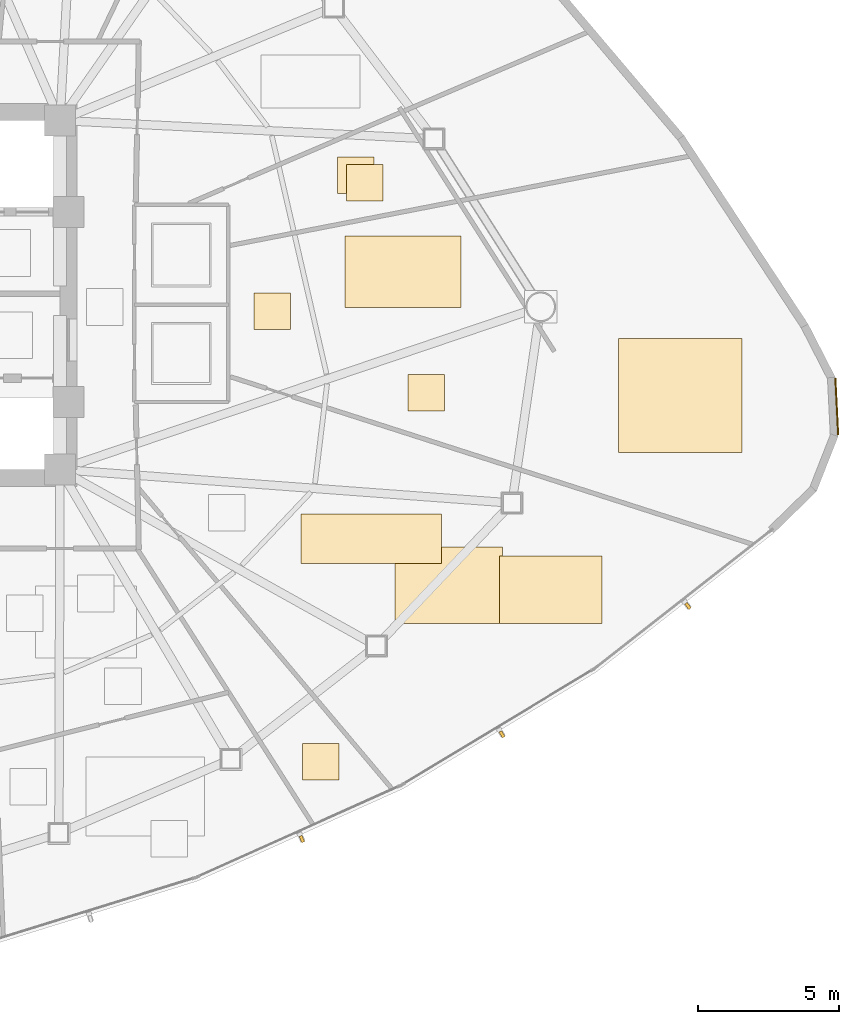
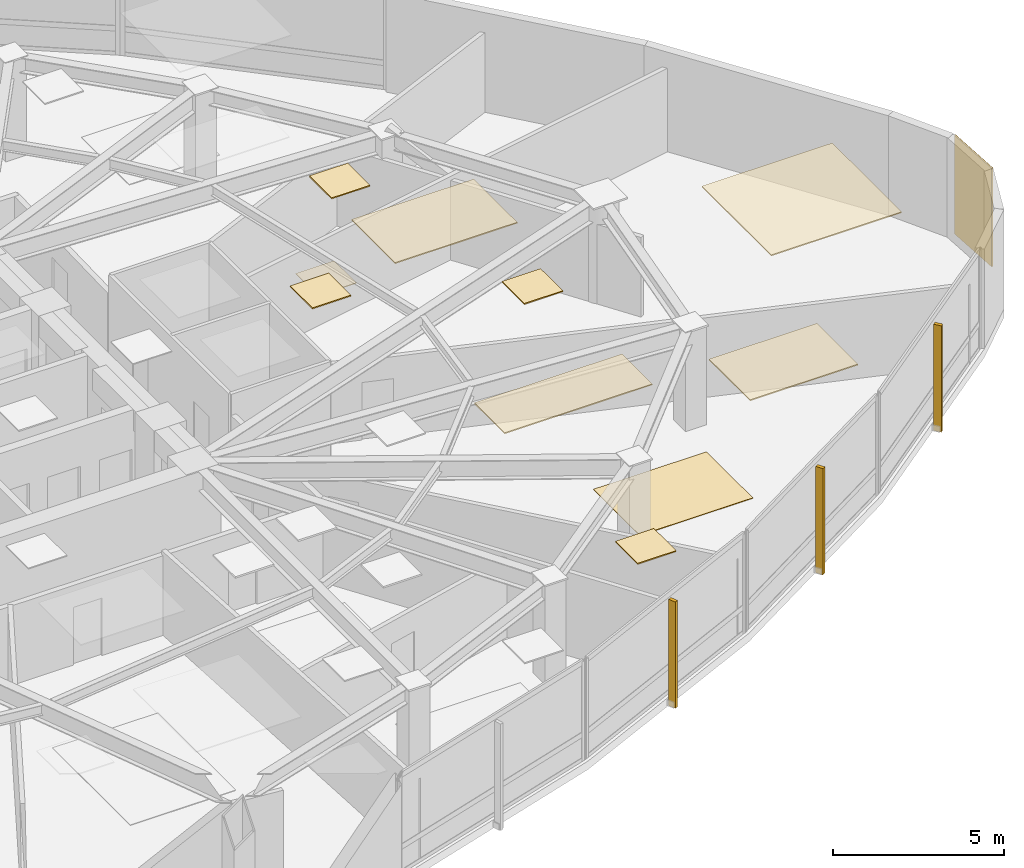
# One storey, part 16 of 17: 11 coverings, 3 shading devices.
"""IFC4 building model written with IfcOpenShell, lengths in metres."""

from ifc_helpers import new_model, si_unit, direction, frame, origin, origin_2d, place, context, subcontext, project, spatial, polyline, rectangle, outline, extrude, source, transform, mapped, material, layer, layer_set, type_object, type_shapes, element, save


model = new_model("IFC4")

# Units and contexts
model_context = context("Model", 3, precision=1e-05, world=origin(), true_north=direction((0.0, 1.0)))
body_context = subcontext(model_context, "Body", "Model", "MODEL_VIEW")
ifc_project = project(units=[si_unit("LENGTHUNIT", "METRE"), si_unit("AREAUNIT", "SQUARE_METRE"), si_unit("VOLUMEUNIT", "CUBIC_METRE"), si_unit("PLANEANGLEUNIT", "RADIAN"), si_unit("MASSUNIT", "GRAM", prefix="KILO")], contexts=[model_context])

# Site, building, storey
site_placement = place(None, origin())
site = spatial("IfcSite", under=ifc_project, at=site_placement, CompositionType="ELEMENT")
building_placement = place(site_placement, origin())
building = spatial("IfcBuilding", under=site, at=building_placement, Name="Tavelor Broadcast Tower", CompositionType="ELEMENT")
storey_placement = place(building_placement, frame((0.0, 0.0, 119.449951171875)))
storey = spatial("IfcBuildingStorey", under=building, at=storey_placement, Name="L27", CompositionType="ELEMENT", Elevation=119.449951171875)

# Coverings
ifc_material_1 = material(Name="Copper-Bronze Anodized Aluminium", Category="aluminium")
ifc_layer_1 = layer(ifc_material_1, 0.050048828125)
ifc_layer_set_1 = layer_set([ifc_layer_1], Name="Copper-Bronze Anodized Aluminium")
covering_type_1 = type_object("IfcCoveringType", Name="Champagne-Bronze Corner Pier Metal Cladding 50 mm", PredefinedType="CLADDING", material=ifc_layer_set_1)
covering_1_placement = place(storey_placement, frame((84.19580078125, 41.033447265625, 0.02001953125), z_axis=(0.0, 0.0, 1.0), x_axis=(-0.049721373869, 0.998763127564, 0.0)))
element("IfcCovering", 1, at=covering_1_placement, inside=storey, type_object=covering_type_1, Name="L27 Champagne-Bronze Corner Cladding 23", PredefinedType="CLADDING", context=body_context, shape_type="SweptSolid", body=[
    extrude(rectangle(XDim=2.007080078125, YDim=0.050048828125, at=origin_2d()), origin(), (0.0, 0.0, 1.0), 3.510009765625),
])
ifc_material_2 = material(Name="Acoustic Nylon Carpet Tile")
ifc_layer_2 = layer(ifc_material_2, 0.02001953125)
ifc_layer_set_2 = layer_set([ifc_layer_2], Name="Acoustic Nylon Carpet Tile")
covering_type_2 = type_object("IfcCoveringType", Name="Heavy-Duty Acoustic Broadcast Carpet Tile 20 mm", PredefinedType="FLOORING", material=ifc_layer_set_2)
covering_2_placement = place(storey_placement, origin())
element("IfcCovering", 2, at=covering_2_placement, inside=storey, type_object=covering_type_2, Name="L27 Broadcast Floor Finish 0372", PredefinedType="FLOORING", context=body_context, shape_type="SweptSolid", body=[
    extrude(outline(polyline([(68.5009765625, 33.3359375), (72.312255859375, 33.3359375), (72.312255859375, 36.04638671875), (68.5009765625, 36.04638671875), (68.5009765625, 33.3359375)])), origin(), (0.0, 0.0, 1.0), 0.02001953125),
])
covering_3_placement = place(storey_placement, origin())
element("IfcCovering", 3, at=covering_3_placement, inside=storey, type_object=covering_type_2, Name="L27 Broadcast Floor Finish 0381", PredefinedType="FLOORING", context=body_context, shape_type="SweptSolid", body=[
    extrude(outline(polyline([(66.4609375, 48.597412109375), (67.760986328125, 48.597412109375), (67.760986328125, 49.8974609375), (66.4609375, 49.8974609375), (66.4609375, 48.597412109375)])), origin(), (0.0, 0.0, 1.0), 0.02001953125),
])
ifc_material_3 = material(Name="Acoustic Mineral Fibre Tile")
ifc_layer_3 = layer(ifc_material_3, 0.0400390625)
ifc_layer_set_3 = layer_set([ifc_layer_3], Name="Acoustic Mineral Fibre Tile")
covering_type_3 = type_object("IfcCoveringType", Name="Suspended Acoustic Mineral-Fibre Office Ceiling 40 mm", PredefinedType="CEILING", material=ifc_layer_set_3)
covering_4_placement = place(storey_placement, frame((0.0, 0.0, 3.510009765625)))
element("IfcCovering", 4, at=covering_4_placement, inside=storey, type_object=covering_type_3, Name="L27 Suspended Acoustic Ceiling 1057", PredefinedType="CEILING", context=body_context, shape_type="SweptSolid", body=[
    extrude(outline(polyline([(72.212890625, 33.330322265625), (75.851806640625, 33.330322265625), (75.851806640625, 35.72802734375), (72.212890625, 35.72802734375), (72.212890625, 33.330322265625)])), origin(), (0.0, 0.0, 1.0), 0.0400390625),
])
covering_5_placement = place(storey_placement, frame((0.0, 0.0, 3.510009765625)))
element("IfcCovering", 5, at=covering_5_placement, inside=storey, type_object=covering_type_3, Name="L27 Suspended Acoustic Ceiling 1059", PredefinedType="CEILING", context=body_context, shape_type="SweptSolid", body=[
    extrude(outline(polyline([(65.16943359375, 35.458740234375), (70.1474609375, 35.458740234375), (70.1474609375, 37.224853515625), (65.16943359375, 37.224853515625), (65.16943359375, 35.458740234375)])), origin(), (0.0, 0.0, 1.0), 0.0400390625),
])
covering_6_placement = place(storey_placement, frame((0.0, 0.0, 3.510009765625)))
element("IfcCovering", 6, at=covering_6_placement, inside=storey, type_object=covering_type_3, Name="L27 Suspended Acoustic Ceiling 1060", PredefinedType="CEILING", context=body_context, shape_type="SweptSolid", body=[
    extrude(outline(polyline([(65.210693359375, 27.764892578125), (66.510498046875, 27.764892578125), (66.510498046875, 29.06494140625), (65.210693359375, 29.06494140625), (65.210693359375, 27.764892578125)])), origin(), (0.0, 0.0, 1.0), 0.0400390625),
])
covering_7_placement = place(storey_placement, frame((0.0, 0.0, 3.510009765625)))
element("IfcCovering", 7, at=covering_7_placement, inside=storey, type_object=covering_type_3, Name="L27 Suspended Acoustic Ceiling 1084", PredefinedType="CEILING", context=body_context, shape_type="SweptSolid", body=[
    extrude(outline(polyline([(66.7724609375, 48.334716796875), (68.072509765625, 48.334716796875), (68.072509765625, 49.634765625), (66.7724609375, 49.634765625), (66.7724609375, 48.334716796875)])), origin(), (0.0, 0.0, 1.0), 0.0400390625),
])
covering_8_placement = place(storey_placement, frame((0.0, 0.0, 3.510009765625)))
element("IfcCovering", 8, at=covering_8_placement, inside=storey, type_object=covering_type_3, Name="L27 Suspended Acoustic Ceiling 1085", PredefinedType="CEILING", context=body_context, shape_type="SweptSolid", body=[
    extrude(outline(polyline([(76.434326171875, 39.4052734375), (80.828125, 39.4052734375), (80.828125, 43.45361328125), (76.434326171875, 43.45361328125), (76.434326171875, 39.4052734375)])), origin(), (0.0, 0.0, 1.0), 0.0400390625),
])
covering_9_placement = place(storey_placement, frame((0.0, 0.0, 3.510009765625)))
element("IfcCovering", 9, at=covering_9_placement, inside=storey, type_object=covering_type_3, Name="L27 Suspended Acoustic Ceiling 1086", PredefinedType="CEILING", context=body_context, shape_type="SweptSolid", body=[
    extrude(outline(polyline([(68.95703125, 40.87060546875), (70.257080078125, 40.87060546875), (70.257080078125, 42.170654296875), (68.95703125, 42.170654296875), (68.95703125, 40.87060546875)])), origin(), (0.0, 0.0, 1.0), 0.0400390625),
])
covering_10_placement = place(storey_placement, frame((0.0, 0.0, 3.510009765625)))
element("IfcCovering", 10, at=covering_10_placement, inside=storey, type_object=covering_type_3, Name="L27 Suspended Acoustic Ceiling 1087", PredefinedType="CEILING", context=body_context, shape_type="SweptSolid", body=[
    extrude(outline(polyline([(63.4912109375, 43.768310546875), (64.791259765625, 43.768310546875), (64.791259765625, 45.068359375), (63.4912109375, 45.068359375), (63.4912109375, 43.768310546875)])), origin(), (0.0, 0.0, 1.0), 0.0400390625),
])
covering_11_placement = place(storey_placement, frame((0.0, 0.0, 3.510009765625)))
element("IfcCovering", 11, at=covering_11_placement, inside=storey, type_object=covering_type_3, Name="L27 Suspended Acoustic Ceiling 1088", PredefinedType="CEILING", context=body_context, shape_type="SweptSolid", body=[
    extrude(outline(polyline([(66.7314453125, 44.553955078125), (70.84765625, 44.553955078125), (70.84765625, 47.096435546875), (66.7314453125, 47.096435546875), (66.7314453125, 44.553955078125)])), origin(), (0.0, 0.0, 1.0), 0.0400390625),
])

# Shading devices
ifc_material_4 = material(Name="Kiln-Fired Glazed Terracotta", Category="masonry")
shading_device_type = type_object("IfcShadingDeviceType", Name="Extruded Terracotta Baguette Sun-Screen 110x240", PredefinedType="JALOUSIE", material=ifc_material_4)
shared_shape = source(origin(), body_context, "Body", "SweptSolid", [
    extrude(rectangle(XDim=0.110107421875, YDim=0.239990234375, at=origin_2d()), origin(), (0.0, 0.0, 1.0), 3.7900390625),
])
type_shapes(shading_device_type, [shared_shape])
for number, where, z_axis, x_axis, name in (
    (12, (65.194580078125, 25.668212890625, -0.260009765625), (0.0, 0.0, 1.0), (0.912263150732, 0.40960461889, 0.0), "L27 Terracotta Baguette Fin 258"),
    (13, (72.3037109375, 29.392578125, -0.260009765625), (0.0, 0.0, 1.0), (0.855996511019, 0.516981598438, 0.0), "L27 Terracotta Baguette Fin 259"),
    (14, (78.909912109375, 33.9501953125, -0.260009765625), (0.0, 0.0, 1.0), (0.787150360167, 0.616761145412, 0.0), "L27 Terracotta Baguette Fin 260"),
):
    element("IfcShadingDevice", number, at=place(storey_placement, frame(where, z_axis=z_axis, x_axis=x_axis)), inside=storey, type_object=shading_device_type, Name=name, PredefinedType="JALOUSIE", context=body_context, shape_type="MappedRepresentation", body=[
        mapped(shared_shape, transform((0.0, 0.0, 0.0), scale=1.0)),
    ])

save(model, "model.ifc")
